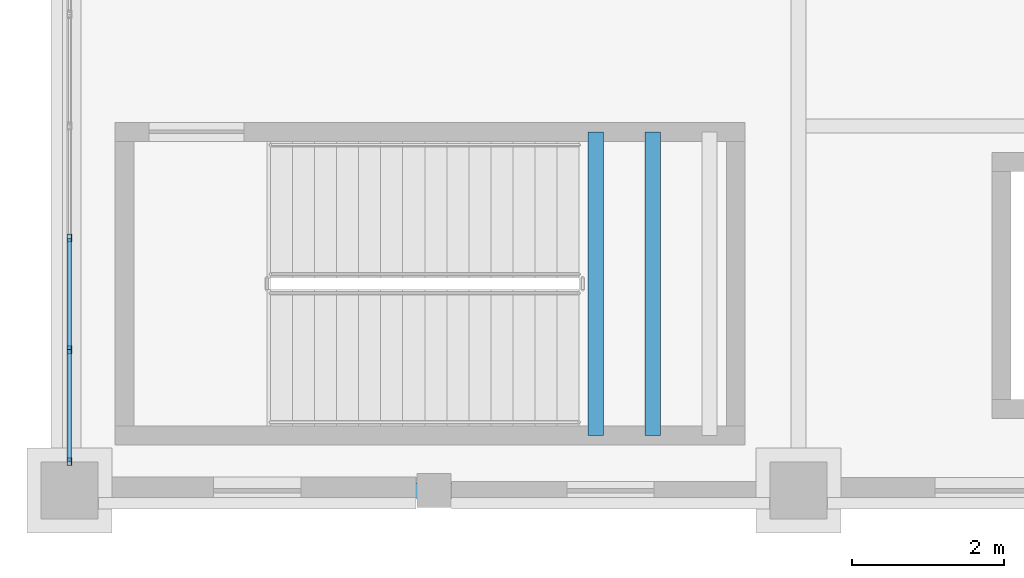
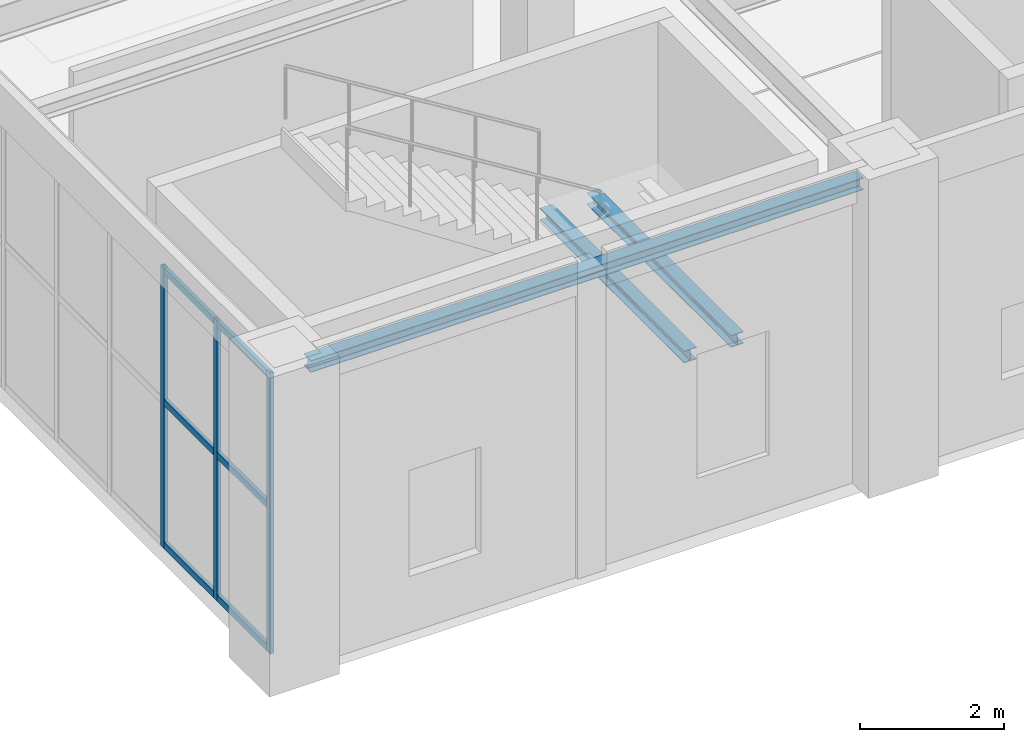
# One storey, part 23 of 164: 9 members, 3 beams, 1 element without a shape of its own.
"""IFC4 building model written with IfcOpenShell, lengths in metres."""

from ifc_helpers import new_model, si_unit, direction, frame, origin, origin_2d, place, context, subcontext, project, spatial, hollow_rectangle, i_section, extrude, material, material_profile, profile_set, type_object, element, aggregate, save


model = new_model("IFC4")

# Units and contexts
model_context = context("Model", 3, precision=1e-05, world=origin(), true_north=direction((0.0, 1.0)))
body_context = subcontext(model_context, "Body", "Model", "MODEL_VIEW")
ifc_project = project(units=[si_unit("LENGTHUNIT", "METRE"), si_unit("AREAUNIT", "SQUARE_METRE"), si_unit("VOLUMEUNIT", "CUBIC_METRE"), si_unit("PLANEANGLEUNIT", "RADIAN"), si_unit("MASSUNIT", "GRAM", prefix="KILO")], contexts=[model_context])

# Site, building, storey
site_placement = place(None, origin())
site = spatial("IfcSite", under=ifc_project, at=site_placement, CompositionType="ELEMENT")
building_placement = place(site_placement, origin())
building = spatial("IfcBuilding", under=site, at=building_placement, Name="Mavantir Sound Aquarium", CompositionType="ELEMENT")
storey_placement = place(building_placement, origin())
storey = spatial("IfcBuildingStorey", under=building, at=storey_placement, Name="L00", CompositionType="ELEMENT", Elevation=0.0)

# Beams
ifc_material_1 = material(Name="Structural Steel ASTM A992 Gr50", Category="steel")
ifc_material_profile_1 = material_profile(ifc_material_1, i_section(OverallWidth=0.202880859375, OverallDepth=0.202880859375, WebThickness=0.007080078125, FlangeThickness=0.010986328125, FilletRadius=0.010009765625, at=origin_2d()), Name="W200X46")
ifc_profile_set_1 = profile_set([ifc_material_profile_1], Name="Structural Steel ASTM A992 Gr50")
beam_type_1 = type_object("IfcBeamType", Name="BM-W200X46-E", PredefinedType="LINTEL", material=ifc_profile_set_1)
beam_placement = place(storey_placement, frame((0.375, 0.0, 4.994384765625), z_axis=(1.0, 0.0, 0.0), x_axis=(0.0, 1.0, 0.0)))
element("IfcBeam", 1, at=beam_placement, inside=storey, type_object=beam_type_1, Name="L00 primary beam SL-20 888", PredefinedType="LINTEL", context=body_context, shape_type="SweptSolid", body=[
    extrude(i_section(OverallWidth=0.202880859375, OverallDepth=0.202880859375, WebThickness=0.007080078125, FlangeThickness=0.010986328125, FilletRadius=0.010009765625, at=origin_2d()), origin(), (0.0, 0.0, 1.0), 8.85009765625),
])
ifc_material_profile_2 = material_profile(ifc_material_1, i_section(OverallWidth=0.202880859375, OverallDepth=0.202880859375, WebThickness=0.007080078125, FlangeThickness=0.010986328125, FilletRadius=0.010009765625, at=origin_2d()), Name="W200X46")
ifc_profile_set_2 = profile_set([ifc_material_profile_2], Name="Structural Steel ASTM A992 Gr50")
beam_type_2 = type_object("IfcBeamType", Name="BM-W200X46-I", PredefinedType="LINTEL", material=ifc_profile_set_2)
for number, where, z_axis, x_axis, name in (
    (2, (6.929931640625, 0.72509765625, 2.3955078125), (0.0, 1.0, 0.0), (-1.0, 0.0, 0.0), "Stair ST3 landing support beam 43"),
    (3, (7.679931640625, 0.72509765625, 2.3955078125), (0.0, 1.0, 0.0), (-1.0, 0.0, 0.0), "Stair ST3 landing support beam 44"),
):
    element("IfcBeam", number, at=place(storey_placement, frame(where, z_axis=z_axis, x_axis=x_axis)), inside=storey, type_object=beam_type_2, Name=name, PredefinedType="LINTEL", context=body_context, shape_type="SweptSolid", body=[
        extrude(i_section(OverallWidth=0.202880859375, OverallDepth=0.202880859375, WebThickness=0.007080078125, FlangeThickness=0.010986328125, FilletRadius=0.010009765625, at=origin_2d()), origin(), (0.0, 0.0, 1.0), 4.0),
    ])

# Curtain wall, members
ifc_material_2 = material(Name="Anodised Marine Aluminium and Low-E Glass", Category="aluminium")
curtain_wall_type = type_object("IfcCurtainWallType", Name="CW-T13", PredefinedType="USERDEFINED", material=ifc_material_2)
curtain_wall_placement = place(storey_placement, origin())
curtain_wall = element("IfcCurtainWall", 4, at=curtain_wall_placement, inside=storey, type_object=curtain_wall_type, Name="L00 unitised curtain wall CW-13 13", ObjectType="UNITISED GLAZING", PredefinedType="USERDEFINED")
ifc_material_3 = material(Name="Anodised Marine Aluminium 6063-T6", Category="aluminium")
ifc_material_profile_3 = material_profile(ifc_material_3, hollow_rectangle(XDim=0.06005859375, YDim=0.10009765625, WallThickness=0.00390625, at=origin_2d()), Name="ALU-MULLION-100X60")
ifc_profile_set_3 = profile_set([ifc_material_profile_3], Name="Anodised Marine Aluminium 6063-T6")
member_type_1 = type_object("IfcMemberType", Name="CW-MUL-100", PredefinedType="MULLION", material=ifc_profile_set_3)
member_1_placement = place(storey_placement, frame((0.0, 3.32763671875, 0.0), z_axis=(0.0, 0.0, 1.0), x_axis=(1.0, 0.0, 0.0)))
member_1 = element("IfcMember", 5, at=member_1_placement, type_object=member_type_1, Name="CW-L00-013 vertical mullion 5", PredefinedType="MULLION", context=body_context, shape_type="SweptSolid", body=[
    extrude(hollow_rectangle(XDim=0.06005859375, YDim=0.10009765625, WallThickness=0.00390625, at=origin_2d()), origin(), (0.0, 0.0, 1.0), 4.758056640625),
])
member_2_placement = place(storey_placement, frame((0.0, 1.855224609375, 0.0), z_axis=(0.0, 0.0, 1.0), x_axis=(1.0, 0.0, 0.0)))
member_2 = element("IfcMember", 6, at=member_2_placement, type_object=member_type_1, Name="CW-L00-013 vertical mullion 6", PredefinedType="MULLION", context=body_context, shape_type="SweptSolid", body=[
    extrude(hollow_rectangle(XDim=0.06005859375, YDim=0.10009765625, WallThickness=0.00390625, at=origin_2d()), origin(), (0.0, 0.0, 1.0), 4.758056640625),
])
member_3_placement = place(storey_placement, frame((0.0, 0.383056640625, 0.0), z_axis=(0.0, 0.0, 1.0), x_axis=(1.0, 0.0, 0.0)))
member_3 = element("IfcMember", 7, at=member_3_placement, type_object=member_type_1, Name="CW-L00-013 vertical mullion 7", PredefinedType="MULLION", context=body_context, shape_type="SweptSolid", body=[
    extrude(hollow_rectangle(XDim=0.06005859375, YDim=0.10009765625, WallThickness=0.00390625, at=origin_2d()), origin(), (0.0, 0.0, 1.0), 4.758056640625),
])
ifc_material_profile_4 = material_profile(ifc_material_3, hollow_rectangle(XDim=0.06005859375, YDim=0.110107421875, WallThickness=0.00390625, at=origin_2d()), Name="ALU-TRANSOM-110X60")
ifc_profile_set_4 = profile_set([ifc_material_profile_4], Name="Anodised Marine Aluminium 6063-T6")
member_type_2 = type_object("IfcMemberType", Name="CW-TRN-110", PredefinedType="USERDEFINED", material=ifc_profile_set_4)
member_4_placement = place(storey_placement, frame((0.0, 3.32763671875, 0.054931640625), z_axis=(0.0, -1.0, 0.0), x_axis=(1.0, 0.0, 0.0)))
member_4 = element("IfcMember", 8, at=member_4_placement, type_object=member_type_2, Name="CW-L00-013 transom 5.1", ObjectType="TRANSOM", PredefinedType="USERDEFINED", context=body_context, shape_type="SweptSolid", body=[
    extrude(hollow_rectangle(XDim=0.06005859375, YDim=0.110107421875, WallThickness=0.00390625, at=origin_2d()), origin(), (0.0, 0.0, 1.0), 1.472412109375),
])
member_5_placement = place(storey_placement, frame((0.0, 3.32763671875, 2.47412109375), z_axis=(0.0, -1.0, 0.0), x_axis=(1.0, 0.0, 0.0)))
member_5 = element("IfcMember", 9, at=member_5_placement, type_object=member_type_2, Name="CW-L00-013 transom 5.2", ObjectType="TRANSOM", PredefinedType="USERDEFINED", context=body_context, shape_type="SweptSolid", body=[
    extrude(hollow_rectangle(XDim=0.06005859375, YDim=0.110107421875, WallThickness=0.00390625, at=origin_2d()), origin(), (0.0, 0.0, 1.0), 1.472412109375),
])
member_6_placement = place(storey_placement, frame((0.0, 3.32763671875, 4.702880859375), z_axis=(0.0, -1.0, 0.0), x_axis=(1.0, 0.0, 0.0)))
member_6 = element("IfcMember", 10, at=member_6_placement, type_object=member_type_2, Name="CW-L00-013 transom 5.3", ObjectType="TRANSOM", PredefinedType="USERDEFINED", context=body_context, shape_type="SweptSolid", body=[
    extrude(hollow_rectangle(XDim=0.06005859375, YDim=0.110107421875, WallThickness=0.00390625, at=origin_2d()), origin(), (0.0, 0.0, 1.0), 1.472412109375),
])
member_7_placement = place(storey_placement, frame((0.0, 1.855224609375, 0.054931640625), z_axis=(0.0, -1.0, 0.0), x_axis=(1.0, 0.0, 0.0)))
member_7 = element("IfcMember", 11, at=member_7_placement, type_object=member_type_2, Name="CW-L00-013 transom 6.1", ObjectType="TRANSOM", PredefinedType="USERDEFINED", context=body_context, shape_type="SweptSolid", body=[
    extrude(hollow_rectangle(XDim=0.06005859375, YDim=0.110107421875, WallThickness=0.00390625, at=origin_2d()), origin(), (0.0, 0.0, 1.0), 1.47216796875),
])
member_8_placement = place(storey_placement, frame((0.0, 1.855224609375, 2.47412109375), z_axis=(0.0, -1.0, 0.0), x_axis=(1.0, 0.0, 0.0)))
member_8 = element("IfcMember", 12, at=member_8_placement, type_object=member_type_2, Name="CW-L00-013 transom 6.2", ObjectType="TRANSOM", PredefinedType="USERDEFINED", context=body_context, shape_type="SweptSolid", body=[
    extrude(hollow_rectangle(XDim=0.06005859375, YDim=0.110107421875, WallThickness=0.00390625, at=origin_2d()), origin(), (0.0, 0.0, 1.0), 1.47216796875),
])
member_9_placement = place(storey_placement, frame((0.0, 1.855224609375, 4.702880859375), z_axis=(0.0, -1.0, 0.0), x_axis=(1.0, 0.0, 0.0)))
member_9 = element("IfcMember", 13, at=member_9_placement, type_object=member_type_2, Name="CW-L00-013 transom 6.3", ObjectType="TRANSOM", PredefinedType="USERDEFINED", context=body_context, shape_type="SweptSolid", body=[
    extrude(hollow_rectangle(XDim=0.06005859375, YDim=0.110107421875, WallThickness=0.00390625, at=origin_2d()), origin(), (0.0, 0.0, 1.0), 1.47216796875),
])
aggregate(curtain_wall, [member_1, member_2, member_3, member_4, member_5, member_6, member_7, member_8, member_9])

save(model, "model.ifc")
